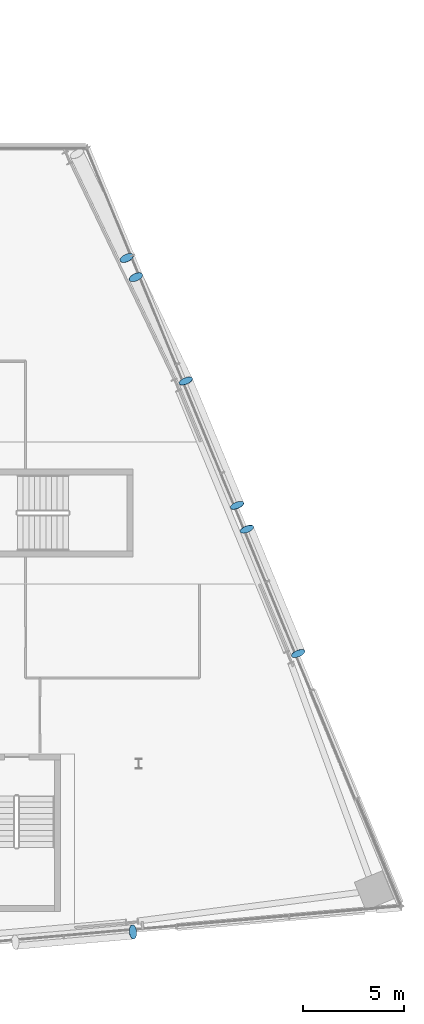
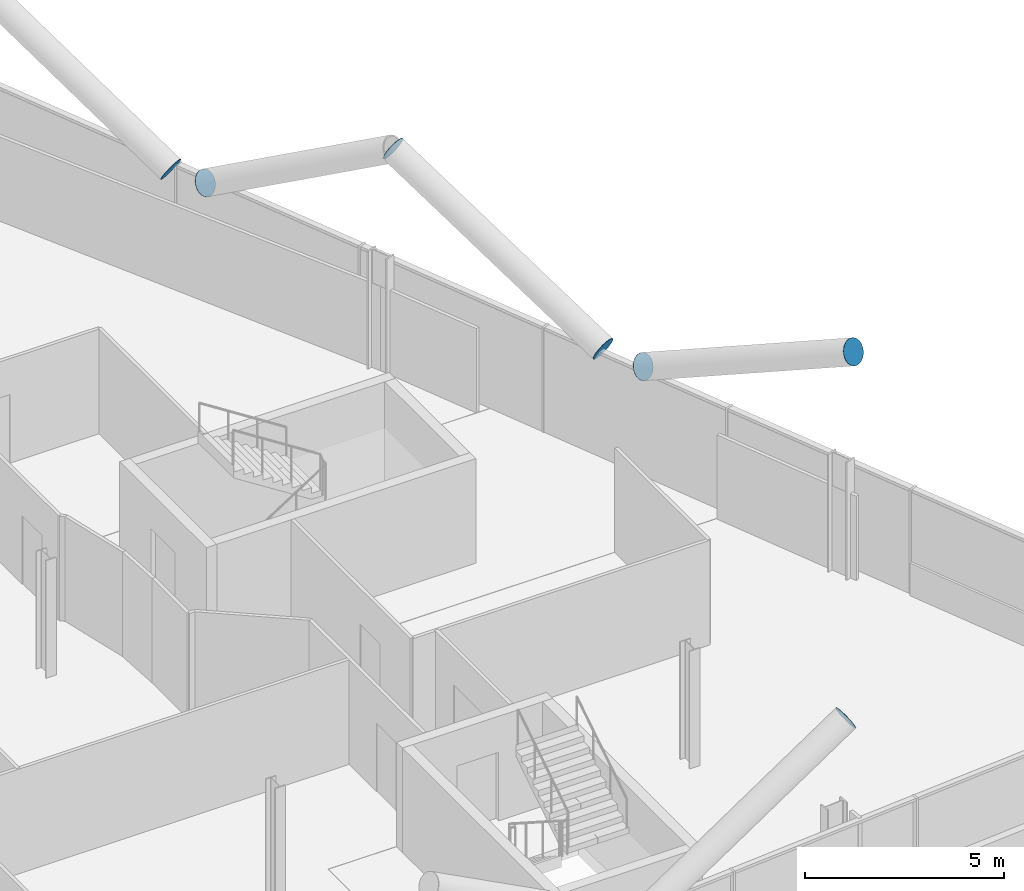
# One storey, part 23 of 26: 7 discrete accessories.
"""IFC4 building model written with IfcOpenShell, lengths in metres."""

import ifcopenshell
import ifcopenshell.guid

model = None  # the IFC model being written
_history = None  # IfcOwnerHistory: only IFC2X3 demands one
_inside = {}  # id of a spatial element -> (the spatial element, [elements in it])
_under = {}  # id of a project, library or spatial element -> (it, [spatial elements below it])
_declared = {}  # id of a project -> (the project, [libraries it declares])
_typed = {}  # id of a type object -> (the type object, [elements of that type])
_made_of = {}  # id of a material, layer set ... -> (it, [elements and type objects made of it])


def new_model(schema):
    """Start an empty IFC model of exactly this schema.

    Asked for "IFC4X3", IfcOpenShell would pick the latest addendum, in which some entities
    have other attributes; the version numbers below select the first issue.
    IFC2X3 requires an IfcOwnerHistory on every rooted entity: one is made here for all.
    """
    global model, _history
    if schema == "IFC4X3":
        model = ifcopenshell.file(schema_version=(4, 3, 0, 0))
    else:
        model = ifcopenshell.file(schema=schema)
    _inside.clear()
    _under.clear()
    _declared.clear()
    _typed.clear()
    _made_of.clear()
    _history = None
    if model.schema == "IFC2X3":
        org = make("IfcOrganization", Name="unknown")
        user = make(
            "IfcPersonAndOrganization",
            ThePerson=make("IfcPerson", FamilyName="unknown"),
            TheOrganization=org,
        )
        app = make(
            "IfcApplication",
            ApplicationDeveloper=org,
            Version="unknown",
            ApplicationFullName="unknown",
            ApplicationIdentifier="unknown",
        )
        _history = make(
            "IfcOwnerHistory",
            OwningUser=user,
            OwningApplication=app,
            ChangeAction="ADDED",
            CreationDate=0,
        )
    return model


def make(cls, **values):
    """One entity of the class cls with the attributes given. An attribute that is None is left unset."""
    return model.create_entity(
        cls, **{name: value for name, value in values.items() if value is not None}
    )


def rooted(cls, **values):
    """An entity with a GlobalId (a new one), such as an element, a storey or a relation."""
    return make(cls, GlobalId=ifcopenshell.guid.new(), OwnerHistory=_history, **values)


def si_unit(unit_type, name, prefix=None):
    """IfcSIUnit, for example si_unit("LENGTHUNIT", "METRE", prefix="MILLI")."""
    return make("IfcSIUnit", UnitType=unit_type, Prefix=prefix, Name=name)


def assignment(units):
    """IfcUnitAssignment: the units of a project."""
    return None if units is None else make("IfcUnitAssignment", Units=units)


def point(xyz):
    """IfcCartesianPoint."""
    return None if xyz is None else make("IfcCartesianPoint", Coordinates=xyz)


def direction(xyz):
    """IfcDirection."""
    return None if xyz is None else make("IfcDirection", DirectionRatios=xyz)


def frame(location, z_axis=None, x_axis=None):
    """IfcAxis2Placement3D, a coordinate frame: its origin and axes. An axis left out is left unset."""
    return make(
        "IfcAxis2Placement3D",
        Location=point(location),
        Axis=direction(z_axis),
        RefDirection=direction(x_axis),
    )


def frame_2d(location, x_axis=None):
    """IfcAxis2Placement2D, a coordinate frame in the plane: its origin and x axis."""
    return make(
        "IfcAxis2Placement2D", Location=point(location), RefDirection=direction(x_axis)
    )


def origin():
    """The frame at (0, 0, 0) with its axes left unset."""
    return frame((0.0, 0.0, 0.0))


def origin_2d():
    """The frame at (0, 0) in the plane with its x axis left unset."""
    return frame_2d((0.0, 0.0))


def place(relative_to, where):
    """IfcLocalPlacement: puts the frame where relative to a parent placement (None: the world)."""
    return make(
        "IfcLocalPlacement", PlacementRelTo=relative_to, RelativePlacement=where
    )


def context(
    kind, dimensions, precision=None, world=None, true_north=None, identifier=None
):
    """IfcGeometricRepresentationContext, for example the 3D "Model" context."""
    return make(
        "IfcGeometricRepresentationContext",
        ContextIdentifier=identifier,
        ContextType=kind,
        CoordinateSpaceDimension=dimensions,
        Precision=precision,
        WorldCoordinateSystem=world,
        TrueNorth=true_north,
    )


def subcontext(parent, identifier, kind, view, scale=None):
    """IfcGeometricRepresentationSubContext, for example "Body" below "Model"."""
    return make(
        "IfcGeometricRepresentationSubContext",
        ContextIdentifier=identifier,
        ContextType=kind,
        ParentContext=parent,
        TargetScale=scale,
        TargetView=view,
    )


def project(units=None, contexts=None):
    """IfcProject with its units and contexts."""
    return rooted(
        "IfcProject",
        Name="project",
        RepresentationContexts=contexts,
        UnitsInContext=assignment(units),
    )


def spatial(cls, under=None, at=None, **own):
    """A site, building, storey or space (cls), placed at a placement, below another one or the project."""
    s = rooted(cls, ObjectPlacement=at, **own)
    if under is not None:
        _under.setdefault(under.id(), (under, []))[1].append(s)
    return s


def profile(cls, at=None, kind="AREA", **sizes):
    """A parametric profile (cls). Its sizes go by their IFC names, for example OverallWidth=200.0."""
    return make(cls, ProfileType=kind, Position=at, **sizes)


def circle(**sizes):
    """IfcCircleProfileDef."""
    return profile("IfcCircleProfileDef", **sizes)


def extrude(swept, where, along, depth):
    """IfcExtrudedAreaSolid: the profile swept, set in the frame where, extruded along a direction by depth."""
    return make(
        "IfcExtrudedAreaSolid",
        SweptArea=swept,
        Position=where,
        ExtrudedDirection=direction(along),
        Depth=depth,
    )


def shape(context_of_items, identifier, shape_type, items):
    """IfcShapeRepresentation: the items that make up one representation, for example the "Body"."""
    return make(
        "IfcShapeRepresentation",
        ContextOfItems=context_of_items,
        RepresentationIdentifier=identifier,
        RepresentationType=shape_type,
        Items=items,
    )


def material(Name=None, Category=None):
    """IfcMaterial."""
    return make("IfcMaterial", Name=Name, Category=Category)


def material_profile(
    of_material, cross_section, Name=None, Category=None, Priority=None
):
    """IfcMaterialProfile: a cross section and its material."""
    return make(
        "IfcMaterialProfile",
        Name=Name,
        Material=of_material,
        Profile=cross_section,
        Priority=Priority,
        Category=Category,
    )


def profile_set(profiles, Name=None, composite=None):
    """IfcMaterialProfileSet."""
    return make(
        "IfcMaterialProfileSet",
        Name=Name,
        MaterialProfiles=profiles,
        CompositeProfile=composite,
    )


def made_of(thing, what):
    """Note that an element or type object is made of a material, layer set ...; save() writes the relation."""
    if what is not None:
        _made_of.setdefault(what.id(), (what, []))[1].append(thing)
    return thing


def type_object(cls, material=None, **own):
    """A type object (cls), such as IfcWallType, which elements share."""
    return made_of(rooted(cls, **own), material)


def element(
    cls,
    number,
    at=None,
    inside=None,
    cuts=None,
    type_object=None,
    material=None,
    context=None,
    identifier="Body",
    shape_type=None,
    held_by="IfcProductDefinitionShape",
    body=None,
    shapes=None,
    **own,
):
    """One element of the class cls, such as IfcWall. Its Tag is "e" and its number.

    at: its placement. inside: the storey or other place that contains it. cuts: it is an
    opening in that element (IfcRelVoidsElement). A single representation is given by context,
    identifier, shape_type and body (its items); several are given by shapes. held_by: the class
    of the entity that holds the representations. save() writes the other relations.
    """
    e = rooted(cls, Tag="e%d" % number, ObjectPlacement=at, **own)
    if body is not None:
        shapes = [shape(context, identifier, shape_type, body)]
    if shapes is not None:
        e.Representation = make(held_by, Representations=shapes)
    if inside is not None:
        _inside.setdefault(inside.id(), (inside, []))[1].append(e)
    if cuts is not None:
        rooted(
            "IfcRelVoidsElement", RelatingBuildingElement=cuts, RelatedOpeningElement=e
        )
    if type_object is not None:
        _typed.setdefault(type_object.id(), (type_object, []))[1].append(e)
    return made_of(e, material)


def aggregate(whole, parts):
    """IfcRelAggregates: a whole, such as a stair, and the parts it consists of."""
    return rooted("IfcRelAggregates", RelatingObject=whole, RelatedObjects=parts)


def save(model, path):
    """Write the relations noted so far, then the file.

    IfcRelAggregates (storeys below a building ...), IfcRelContainedInSpatialStructure (elements
    in a storey), IfcRelDefinesByType, IfcRelAssociatesMaterial and IfcRelDeclares: one each for
    every whole, place, type object, material and project.
    """
    for whole, parts in _under.values():
        aggregate(whole, parts)
    for where, things in _inside.values():
        rooted(
            "IfcRelContainedInSpatialStructure",
            RelatedElements=things,
            RelatingStructure=where,
        )
    for kind, things in _typed.values():
        rooted("IfcRelDefinesByType", RelatedObjects=things, RelatingType=kind)
    for what, things in _made_of.values():
        rooted("IfcRelAssociatesMaterial", RelatedObjects=things, RelatingMaterial=what)
    for by, libraries in _declared.values():
        rooted("IfcRelDeclares", RelatingContext=by, RelatedDefinitions=libraries)
    model.write(path)


model = new_model("IFC4")

# Units and contexts
model_context = context("Model", 3, precision=1e-05, world=origin(), true_north=direction((0.0, 1.0)))
body_context = subcontext(model_context, "Body", "Model", "MODEL_VIEW")
ifc_project = project(units=[si_unit("LENGTHUNIT", "METRE"), si_unit("AREAUNIT", "SQUARE_METRE"), si_unit("VOLUMEUNIT", "CUBIC_METRE"), si_unit("PLANEANGLEUNIT", "RADIAN"), si_unit("MASSUNIT", "GRAM", prefix="KILO")], contexts=[model_context])

# Site, building, storey
site_placement = place(None, origin())
site = spatial("IfcSite", under=ifc_project, at=site_placement, CompositionType="ELEMENT")
building_placement = place(site_placement, origin())
building = spatial("IfcBuilding", under=site, at=building_placement, Name="Wharfspan Tower", CompositionType="ELEMENT")
storey_placement = place(building_placement, frame((0.0, 0.0, 173.5)))
storey = spatial("IfcBuildingStorey", under=building, at=storey_placement, Name="L42", CompositionType="ELEMENT", Elevation=173.5)

# Discrete accessories
ifc_material = material(Name="Steel S460NH", Category="steel")
ifc_material_profile = material_profile(ifc_material, circle(Radius=0.355469, at=origin_2d()))
ifc_profile_set = profile_set([ifc_material_profile], Name="Steel S460NH")
discrete_accessory_type = type_object("IfcDiscreteAccessoryType", Name="End plate CHS 711x36", PredefinedType="BRACKET", material=ifc_profile_set)
discrete_accessory_placement = place(storey_placement, frame((71.706055, 3.181641, 6.5), z_axis=(0.865849, 0.074216, 0.494771), x_axis=(-0.085402, 0.996345, 1e-06)))
element("IfcDiscreteAccessory", 1, at=discrete_accessory_placement, inside=storey, type_object=discrete_accessory_type, Name="End plate CHS 711x36", PredefinedType="BRACKET", context=body_context, shape_type="SweptSolid", body=[
    extrude(circle(Radius=0.355469, at=origin_2d()), origin(), (0.0, 0.0, 1.0), 0.009766),
])
for number, where, z_axis, x_axis, name in (
    (2, (76.857666, 24.266846, 3.212158), (-0.341972, 0.830504, 0.439679), (-0.924678, -0.380749, -1e-06), "End plate CHS 711x36"),
    (3, (74.320557, 30.411865, 6.5), (-0.341972, 0.830504, 0.439679), (-0.924678, -0.380749, -1e-06), "End plate CHS 711x36"),
    (4, (77.3396, 23.099609, 3.212158), (0.341972, -0.830504, 0.439679), (0.924678, 0.380749, -1e-06), "End plate CHS 711x36"),
    (5, (79.876465, 16.954346, 6.5), (0.341972, -0.830504, 0.439679), (0.924678, 0.380749, -1e-06), "End plate CHS 711x36"),
    (6, (71.404785, 36.496582, 3.200684), (-0.364878, 0.778407, 0.510829), (-0.905462, -0.424435, 0.0), "End plate CHS 711x36"),
    (7, (71.854492, 35.55835, 3.200684), (0.364878, -0.778407, 0.510829), (0.905462, 0.424435, 0.0), "End plate CHS 711x36"),
):
    element("IfcDiscreteAccessory", number, at=place(storey_placement, frame(where, z_axis=z_axis, x_axis=x_axis)), inside=storey, type_object=discrete_accessory_type, Name=name, PredefinedType="BRACKET", context=body_context, shape_type="SweptSolid", body=[
        extrude(circle(Radius=0.355469, at=origin_2d()), origin(), (0.0, 0.0, 1.0), 0.01001),
    ])

save(model, "model.ifc")
